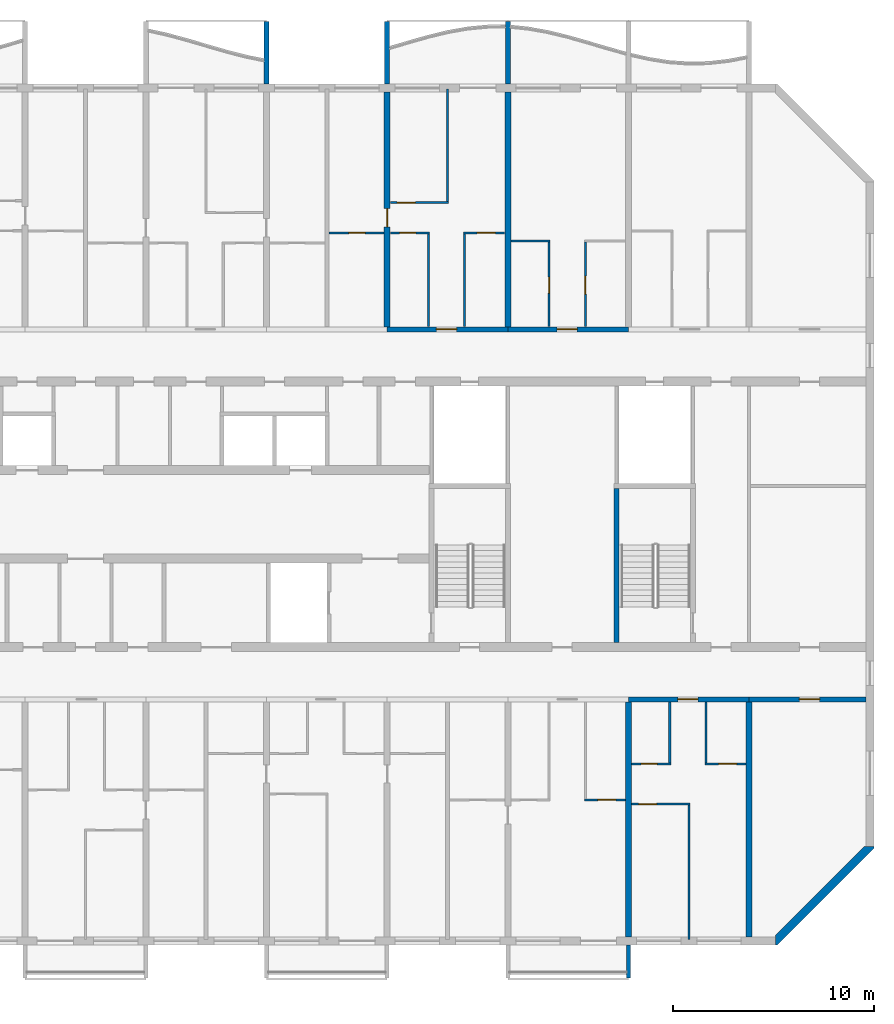
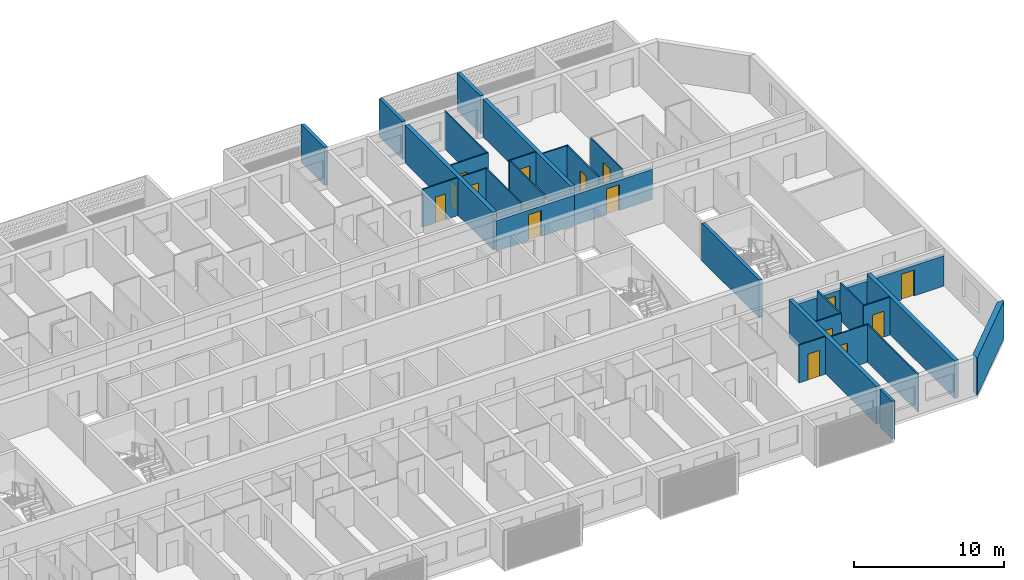
# One storey, part 12 of 33: 31 walls, 15 doors, 15 openings.
"""IFC4 building model written with IfcOpenShell, lengths in metres."""

from ifc_helpers import new_model, si_unit, direction, frame, frame_2d, origin, place, context, subcontext, project, spatial, polyline, rectangle, outline, extrude, source, transform, mapped, material, layer, layer_set, type_object, element, fill, save


model = new_model("IFC4")

# Units and contexts
model_context = context("Model", 3, precision=1e-05, world=origin(), true_north=direction((0.0, 1.0)))
body_context = subcontext(model_context, "Body", "Model", "MODEL_VIEW")
ifc_project = project(units=[si_unit("LENGTHUNIT", "METRE"), si_unit("AREAUNIT", "SQUARE_METRE"), si_unit("VOLUMEUNIT", "CUBIC_METRE"), si_unit("PLANEANGLEUNIT", "RADIAN"), si_unit("MASSUNIT", "GRAM", prefix="KILO")], contexts=[model_context])

# Site, building, storey
site_placement = place(None, origin())
site = spatial("IfcSite", under=ifc_project, at=site_placement, CompositionType="ELEMENT")
building_placement = place(site_placement, origin())
building = spatial("IfcBuilding", under=site, at=building_placement, Name="Poui Terraces", CompositionType="ELEMENT")
storey_placement = place(building_placement, frame((0.0, 0.0, 132.300048828125)))
storey = spatial("IfcBuildingStorey", under=building, at=storey_placement, Name="L36", CompositionType="ELEMENT", Elevation=132.300048828125)

# Wall, opening, door
ifc_material_1 = material(Name="Concrete 65 MPa", Category="concrete")
ifc_layer_1 = layer(ifc_material_1, 0.25)
ifc_layer_set_1 = layer_set([ifc_layer_1], Name="Concrete 65 MPa")
wall_type_1 = type_object("IfcWallType", Name="CORRIDOR WALL 250 65MPa", PredefinedType="SHEAR", material=ifc_layer_set_1)
wall_1_placement = place(storey_placement, frame((78.0, 12.0, 0.0), z_axis=(0.0, 0.0, 1.0), x_axis=(1.0, 0.0, 0.0)))
wall_1 = element("IfcWall", 1, at=wall_1_placement, inside=storey, type_object=wall_type_1, Name="CORRIDOR WALL LINE B BAY 12", PredefinedType="SHEAR", context=body_context, shape_type="SweptSolid", body=[
    extrude(rectangle(XDim=6.0, YDim=0.25, at=frame_2d((3.0, 0.0))), origin(), (0.0, 0.0, 1.0), 2.469970703125),
])
opening_1_placement = place(wall_1_placement, frame((2.449951171875, 0.0, 0.0)))
opening_1 = element("IfcOpeningElement", 2, at=opening_1_placement, cuts=wall_1, Name="Opening FD30S", PredefinedType="OPENING", context=body_context, shape_type="SweptSolid", body=[
    extrude(rectangle(XDim=1.0, YDim=2.10009765625, at=frame_2d((0.5, 1.050048828125))), frame((0.0, 0.135009765625, 0.0), z_axis=(0.0, -1.0, 0.0), x_axis=(1.0, 0.0, 0.0)), (0.0, 0.0, 1.0), 0.27001953125),
])
ifc_material_2 = material(Name="Steel fire door", Category="steel")
door_type_1 = type_object("IfcDoorType", Name="FLAT ENTRANCE DOOR 1000 X 2100", OperationType="NOTDEFINED", PredefinedType="DOOR", material=ifc_material_2)
door_1_placement = place(opening_1_placement, frame((1.0, 0.0, 0.0), z_axis=(0.0, 0.0, 1.0), x_axis=(-1.0, 0.0, 0.0)))
door_1 = element("IfcDoor", 3, at=door_1_placement, inside=storey, type_object=door_type_1, Name="FLAT ENTRANCE DOOR 114", OperationType="SINGLE_SWING_RIGHT", OverallHeight=2.10009765625, OverallWidth=1.0, PredefinedType="DOOR", context=body_context, shape_type="SweptSolid", body=[
    extrude(rectangle(XDim=1.0, YDim=2.10009765625, at=frame_2d((0.5, 1.050048828125))), frame((0.0, 0.02490234375, 0.0), z_axis=(0.0, -1.0, 0.0), x_axis=(1.0, 0.0, 0.0)), (0.0, 0.0, 1.0), 0.050048828125),
])
fill(opening_1, door_1)

wall_2_placement = place(storey_placement, frame((84.0, 12.0, 0.0), z_axis=(0.0, 0.0, 1.0), x_axis=(1.0, 0.0, 0.0)))
wall_2 = element("IfcWall", 4, at=wall_2_placement, inside=storey, type_object=wall_type_1, Name="CORRIDOR WALL LINE B BAY 13", PredefinedType="SHEAR", context=body_context, shape_type="SweptSolid", body=[
    extrude(rectangle(XDim=5.800048828125, YDim=0.25, at=frame_2d((2.89990234375, 0.0))), origin(), (0.0, 0.0, 1.0), 2.469970703125),
])
opening_2_placement = place(wall_2_placement, frame((2.5, 0.0, 0.0)))
opening_2 = element("IfcOpeningElement", 5, at=opening_2_placement, cuts=wall_2, Name="Opening D100", PredefinedType="OPENING", context=body_context, shape_type="SweptSolid", body=[
    extrude(rectangle(XDim=1.0, YDim=2.10009765625, at=frame_2d((0.5, 1.050048828125))), frame((0.0, 0.135009765625, 0.0), z_axis=(0.0, -1.0, 0.0), x_axis=(1.0, 0.0, 0.0)), (0.0, 0.0, 1.0), 0.27001953125),
])
ifc_material_3 = material(Name="Solid core timber door", Category="wood")
door_type_2 = type_object("IfcDoorType", Name="ACCESSIBLE INTERNAL DOOR 1000 X 2100", OperationType="NOTDEFINED", PredefinedType="DOOR", material=ifc_material_3)
door_2_placement = place(opening_2_placement, frame((1.0, 0.0, 0.0), z_axis=(0.0, 0.0, 1.0), x_axis=(-1.0, 0.0, 0.0)))
door_2 = element("IfcDoor", 6, at=door_2_placement, inside=storey, type_object=door_type_2, Name="ACCESSIBLE INTERNAL DOOR 116", OperationType="SINGLE_SWING_RIGHT", OverallHeight=2.10009765625, OverallWidth=1.0, PredefinedType="DOOR", context=body_context, shape_type="SweptSolid", body=[
    extrude(rectangle(XDim=1.0, YDim=2.10009765625, at=frame_2d((0.5, 1.050048828125))), frame((0.0, 0.02490234375, 0.0), z_axis=(0.0, -1.0, 0.0), x_axis=(1.0, 0.0, 0.0)), (0.0, 0.0, 1.0), 0.050048828125),
])
fill(opening_2, door_2)

wall_3_placement = place(storey_placement, frame((66.0, 30.39990234375, 0.0), z_axis=(0.0, 0.0, 1.0), x_axis=(1.0, 0.0, 0.0)))
wall_3 = element("IfcWall", 7, at=wall_3_placement, inside=storey, type_object=wall_type_1, Name="CORRIDOR WALL LINE E BAY 10", PredefinedType="SHEAR", context=body_context, shape_type="SweptSolid", body=[
    extrude(rectangle(XDim=6.0, YDim=0.25, at=frame_2d((3.0, 0.0))), origin(), (0.0, 0.0, 1.0), 2.469970703125),
])
opening_3_placement = place(wall_3_placement, frame((2.449951171875, 0.0, 0.0)))
opening_3 = element("IfcOpeningElement", 8, at=opening_3_placement, cuts=wall_3, Name="Opening FD30S", PredefinedType="OPENING", context=body_context, shape_type="SweptSolid", body=[
    extrude(rectangle(XDim=1.0, YDim=2.10009765625, at=frame_2d((0.5, 1.050048828125))), frame((0.0, 0.135009765625, 0.0), z_axis=(0.0, -1.0, 0.0), x_axis=(1.0, 0.0, 0.0)), (0.0, 0.0, 1.0), 0.27001953125),
])
door_3_placement = place(opening_3_placement, origin())
door_3 = element("IfcDoor", 9, at=door_3_placement, inside=storey, type_object=door_type_1, Name="FLAT ENTRANCE DOOR 065", OperationType="SINGLE_SWING_LEFT", OverallHeight=2.10009765625, OverallWidth=1.0, PredefinedType="DOOR", context=body_context, shape_type="SweptSolid", body=[
    extrude(rectangle(XDim=1.0, YDim=2.10009765625, at=frame_2d((0.5, 1.050048828125))), frame((0.0, 0.02490234375, 0.0), z_axis=(0.0, -1.0, 0.0), x_axis=(1.0, 0.0, 0.0)), (0.0, 0.0, 1.0), 0.050048828125),
])
fill(opening_3, door_3)

wall_4_placement = place(storey_placement, frame((72.0, 30.39990234375, 0.0), z_axis=(0.0, 0.0, 1.0), x_axis=(1.0, 0.0, 0.0)))
wall_4 = element("IfcWall", 10, at=wall_4_placement, inside=storey, type_object=wall_type_1, Name="CORRIDOR WALL LINE E BAY 11", PredefinedType="SHEAR", context=body_context, shape_type="SweptSolid", body=[
    extrude(rectangle(XDim=6.0, YDim=0.25, at=frame_2d((3.0, 0.0))), origin(), (0.0, 0.0, 1.0), 2.469970703125),
])
opening_4_placement = place(wall_4_placement, frame((2.449951171875, 0.0, 0.0)))
opening_4 = element("IfcOpeningElement", 11, at=opening_4_placement, cuts=wall_4, Name="Opening FD30S", PredefinedType="OPENING", context=body_context, shape_type="SweptSolid", body=[
    extrude(rectangle(XDim=1.0, YDim=2.10009765625, at=frame_2d((0.5, 1.050048828125))), frame((0.0, 0.135009765625, 0.0), z_axis=(0.0, -1.0, 0.0), x_axis=(1.0, 0.0, 0.0)), (0.0, 0.0, 1.0), 0.27001953125),
])
door_4_placement = place(opening_4_placement, origin())
door_4 = element("IfcDoor", 12, at=door_4_placement, inside=storey, type_object=door_type_1, Name="FLAT ENTRANCE DOOR 068", OperationType="SINGLE_SWING_LEFT", OverallHeight=2.10009765625, OverallWidth=1.0, PredefinedType="DOOR", context=body_context, shape_type="SweptSolid", body=[
    extrude(rectangle(XDim=1.0, YDim=2.10009765625, at=frame_2d((0.5, 1.050048828125))), frame((0.0, 0.02490234375, 0.0), z_axis=(0.0, -1.0, 0.0), x_axis=(1.0, 0.0, 0.0)), (0.0, 0.0, 1.0), 0.050048828125),
])
fill(opening_4, door_4)

ifc_layer_2 = layer(ifc_material_1, 0.300048828125)
ifc_layer_set_2 = layer_set([ifc_layer_2], Name="Concrete 65 MPa")
wall_type_2 = type_object("IfcWallType", Name="CROSS WALL 300 65MPa", PredefinedType="SHEAR", material=ifc_layer_set_2)
wall_5_placement = place(storey_placement, frame((66.0, 30.52490234375, 0.0), z_axis=(0.0, 0.0, 1.0), x_axis=(0.0, 1.0, 0.0)))
wall_5 = element("IfcWall", 13, at=wall_5_placement, inside=storey, type_object=wall_type_2, Name="CROSS WALL LINE 12 NORTH", PredefinedType="SHEAR", context=body_context, shape_type="SweptSolid", body=[
    extrude(rectangle(XDim=11.675048828125, YDim=0.300048828125, at=frame_2d((5.83740234375, 0.0))), origin(), (0.0, 0.0, 1.0), 3.070068359375),
])
opening_5_placement = place(wall_5_placement, frame((4.97509765625, 0.0, 0.0)))
opening_5 = element("IfcOpeningElement", 14, at=opening_5_placement, cuts=wall_5, Name="Opening D90", PredefinedType="OPENING", context=body_context, shape_type="SweptSolid", body=[
    extrude(rectangle(XDim=0.89990234375, YDim=2.10009765625, at=frame_2d((0.449951171875, 1.050048828125))), frame((0.0, 0.16015625, 0.0), z_axis=(0.0, -1.0, 0.0), x_axis=(1.0, 0.0, 0.0)), (0.0, 0.0, 1.0), 0.320068359375),
])
door_type_3 = type_object("IfcDoorType", Name="INTERNAL DOOR 900 X 2100", OperationType="NOTDEFINED", PredefinedType="DOOR", material=ifc_material_3)
door_5_placement = place(opening_5_placement, origin())
door_5 = element("IfcDoor", 15, at=door_5_placement, inside=storey, type_object=door_type_3, Name="INTERNAL DOOR 062", OperationType="SINGLE_SWING_LEFT", OverallHeight=2.10009765625, OverallWidth=0.89990234375, PredefinedType="DOOR", context=body_context, shape_type="SweptSolid", body=[
    extrude(rectangle(XDim=0.89990234375, YDim=2.10009765625, at=frame_2d((0.449951171875, 1.050048828125))), frame((0.0, 0.02490234375, 0.0), z_axis=(0.0, -1.0, 0.0), x_axis=(1.0, 0.0, 0.0)), (0.0, 0.0, 1.0), 0.050048828125),
])
fill(opening_5, door_5)

# Walls
for number, where, z_axis, x_axis, name in (
    (16, (72.0, 30.52490234375, 0.0), (0.0, 0.0, 1.0), (0.0, 1.0, 0.0), "CROSS WALL LINE 13 NORTH"),
    (17, (78.0, 0.199951171875, 0.0), (0.0, 0.0, 1.0), (0.0, 1.0, 0.0), "CROSS WALL LINE 14 SOUTH"),
    (18, (84.0, 0.199951171875, 0.0), (0.0, 0.0, 1.0), (0.0, 1.0, 0.0), "CROSS WALL LINE 15 SOUTH"),
):
    element("IfcWall", number, at=place(storey_placement, frame(where, z_axis=z_axis, x_axis=x_axis)), inside=storey, type_object=wall_type_2, Name=name, PredefinedType="SHEAR", context=body_context, shape_type="SweptSolid", body=[
        extrude(rectangle(XDim=11.675048828125, YDim=0.300048828125, at=frame_2d((5.83740234375, 0.0))), origin(), (0.0, 0.0, 1.0), 3.070068359375),
    ])

# Wall, opening, door
ifc_material_4 = material(Name="Plasterboard partition")
ifc_layer_3 = layer(ifc_material_4, 0.10009765625)
ifc_layer_set_3 = layer_set([ifc_layer_3], Name="Plasterboard partition")
wall_type_3 = type_object("IfcWallType", Name="FLAT PARTITION 100", PredefinedType="PARTITIONING", material=ifc_layer_set_3)
wall_6_placement = place(storey_placement, frame((78.159912109375, 6.800048828125, 0.0), z_axis=(0.0, 0.0, 1.0), x_axis=(1.0, 0.0, 0.0)))
wall_6 = element("IfcWall", 19, at=wall_6_placement, inside=storey, type_object=wall_type_3, Name="FLAT PARTITION 100", PredefinedType="PARTITIONING", context=body_context, shape_type="SweptSolid", body=[
    extrude(rectangle(XDim=2.89013671875, YDim=0.10009765625, at=frame_2d((1.445068359375, 0.0))), origin(), (0.0, 0.0, 1.0), 3.070068359375),
])
opening_6_placement = place(wall_6_placement, frame((0.340087890625, 0.0, 0.0)))
opening_6 = element("IfcOpeningElement", 20, at=opening_6_placement, cuts=wall_6, Name="Opening D90", PredefinedType="OPENING", context=body_context, shape_type="SweptSolid", body=[
    extrude(rectangle(XDim=0.89990234375, YDim=2.10009765625, at=frame_2d((0.449951171875, 1.050048828125))), frame((0.0, 0.06005859375, 0.0), z_axis=(0.0, -1.0, 0.0), x_axis=(1.0, 0.0, 0.0)), (0.0, 0.0, 1.0), 0.1201171875),
])
door_6_placement = place(opening_6_placement, origin())
door_6 = element("IfcDoor", 21, at=door_6_placement, inside=storey, type_object=door_type_3, Name="INTERNAL DOOR 112", OperationType="SINGLE_SWING_RIGHT", OverallHeight=2.10009765625, OverallWidth=0.89990234375, PredefinedType="DOOR", context=body_context, shape_type="SweptSolid", body=[
    extrude(rectangle(XDim=0.89990234375, YDim=2.10009765625, at=frame_2d((0.449951171875, 1.050048828125))), frame((0.0, 0.02490234375, 0.0), z_axis=(0.0, -1.0, 0.0), x_axis=(1.0, 0.0, 0.0)), (0.0, 0.0, 1.0), 0.050048828125),
])
fill(opening_6, door_6)

wall_7_placement = place(storey_placement, frame((75.800048828125, 7.0, 0.0), z_axis=(0.0, 0.0, 1.0), x_axis=(1.0, 0.0, 0.0)))
wall_7 = element("IfcWall", 22, at=wall_7_placement, inside=storey, type_object=wall_type_3, Name="FLAT PARTITION 100", PredefinedType="PARTITIONING", context=body_context, shape_type="SweptSolid", body=[
    extrude(rectangle(XDim=2.0400390625, YDim=0.10009765625, at=frame_2d((1.02001953125, 0.0))), origin(), (0.0, 0.0, 1.0), 3.070068359375),
])
opening_7_placement = place(wall_7_placement, frame((0.675048828125, 0.0, 0.0)))
opening_7 = element("IfcOpeningElement", 23, at=opening_7_placement, cuts=wall_7, Name="Opening D90", PredefinedType="OPENING", context=body_context, shape_type="SweptSolid", body=[
    extrude(rectangle(XDim=0.89990234375, YDim=2.10009765625, at=frame_2d((0.449951171875, 1.050048828125))), frame((0.0, 0.06005859375, 0.0), z_axis=(0.0, -1.0, 0.0), x_axis=(1.0, 0.0, 0.0)), (0.0, 0.0, 1.0), 0.1201171875),
])
door_7_placement = place(opening_7_placement, origin())
door_7 = element("IfcDoor", 24, at=door_7_placement, inside=storey, type_object=door_type_3, Name="INTERNAL DOOR 111", OperationType="SINGLE_SWING_RIGHT", OverallHeight=2.10009765625, OverallWidth=0.89990234375, PredefinedType="DOOR", context=body_context, shape_type="SweptSolid", body=[
    extrude(rectangle(XDim=0.89990234375, YDim=2.10009765625, at=frame_2d((0.449951171875, 1.050048828125))), frame((0.0, 0.02490234375, 0.0), z_axis=(0.0, -1.0, 0.0), x_axis=(1.0, 0.0, 0.0)), (0.0, 0.0, 1.0), 0.050048828125),
])
fill(opening_7, door_7)

wall_8_placement = place(storey_placement, frame((78.159912109375, 8.800048828125, 0.0), z_axis=(0.0, 0.0, 1.0), x_axis=(1.0, 0.0, 0.0)))
wall_8 = element("IfcWall", 25, at=wall_8_placement, inside=storey, type_object=wall_type_3, Name="FLAT PARTITION 100", PredefinedType="PARTITIONING", context=body_context, shape_type="SweptSolid", body=[
    extrude(rectangle(XDim=1.940185546875, YDim=0.10009765625, at=frame_2d((0.97021484375, 0.0))), origin(), (0.0, 0.0, 1.0), 3.070068359375),
])
opening_8_placement = place(wall_8_placement, frame((0.465087890625, 0.0, 0.0)))
opening_8 = element("IfcOpeningElement", 26, at=opening_8_placement, cuts=wall_8, Name="Opening D80", PredefinedType="OPENING", context=body_context, shape_type="SweptSolid", body=[
    extrude(rectangle(XDim=0.800048828125, YDim=2.10009765625, at=frame_2d((0.39990234375, 1.050048828125))), frame((0.0, 0.06005859375, 0.0), z_axis=(0.0, -1.0, 0.0), x_axis=(1.0, 0.0, 0.0)), (0.0, 0.0, 1.0), 0.1201171875),
])
door_type_4 = type_object("IfcDoorType", Name="BATHROOM, LAUNDRY AND STORE DOOR 800 X 2100", OperationType="NOTDEFINED", PredefinedType="DOOR", material=ifc_material_3)
door_8_placement = place(opening_8_placement, origin())
door_8 = element("IfcDoor", 27, at=door_8_placement, inside=storey, type_object=door_type_4, Name="BATHROOM, LAUNDRY AND STORE DOOR 113", OperationType="SINGLE_SWING_LEFT", OverallHeight=2.10009765625, OverallWidth=0.800048828125, PredefinedType="DOOR", context=body_context, shape_type="SweptSolid", body=[
    extrude(rectangle(XDim=0.800048828125, YDim=2.10009765625, at=frame_2d((0.39990234375, 1.050048828125))), frame((0.0, 0.02490234375, 0.0), z_axis=(0.0, -1.0, 0.0), x_axis=(1.0, 0.0, 0.0)), (0.0, 0.0, 1.0), 0.050048828125),
])
fill(opening_8, door_8)

wall_9_placement = place(storey_placement, frame((81.800048828125, 8.800048828125, 0.0), z_axis=(0.0, 0.0, 1.0), x_axis=(1.0, 0.0, 0.0)))
wall_9 = element("IfcWall", 28, at=wall_9_placement, inside=storey, type_object=wall_type_3, Name="FLAT PARTITION 100", PredefinedType="PARTITIONING", context=body_context, shape_type="SweptSolid", body=[
    extrude(rectangle(XDim=2.0400390625, YDim=0.10009765625, at=frame_2d((1.02001953125, 0.0))), origin(), (0.0, 0.0, 1.0), 3.070068359375),
])
opening_9_placement = place(wall_9_placement, frame((0.675048828125, 0.0, 0.0)))
opening_9 = element("IfcOpeningElement", 29, at=opening_9_placement, cuts=wall_9, Name="Opening D90", PredefinedType="OPENING", context=body_context, shape_type="SweptSolid", body=[
    extrude(rectangle(XDim=0.89990234375, YDim=2.10009765625, at=frame_2d((0.449951171875, 1.050048828125))), frame((0.0, 0.06005859375, 0.0), z_axis=(0.0, -1.0, 0.0), x_axis=(1.0, 0.0, 0.0)), (0.0, 0.0, 1.0), 0.1201171875),
])
door_9_placement = place(opening_9_placement, origin())
door_9 = element("IfcDoor", 30, at=door_9_placement, inside=storey, type_object=door_type_3, Name="INTERNAL DOOR 115", OperationType="SINGLE_SWING_RIGHT", OverallHeight=2.10009765625, OverallWidth=0.89990234375, PredefinedType="DOOR", context=body_context, shape_type="SweptSolid", body=[
    extrude(rectangle(XDim=0.89990234375, YDim=2.10009765625, at=frame_2d((0.449951171875, 1.050048828125))), frame((0.0, 0.02490234375, 0.0), z_axis=(0.0, -1.0, 0.0), x_axis=(1.0, 0.0, 0.0)), (0.0, 0.0, 1.0), 0.050048828125),
])
fill(opening_9, door_9)

# Wall
wall_10_placement = place(storey_placement, frame((72.159912109375, 34.800048828125, 0.0), z_axis=(0.0, 0.0, 1.0), x_axis=(1.0, 0.0, 0.0)))
element("IfcWall", 31, at=wall_10_placement, inside=storey, type_object=wall_type_3, Name="FLAT PARTITION 100", PredefinedType="PARTITIONING", context=body_context, shape_type="SweptSolid", body=[
    extrude(rectangle(XDim=1.940185546875, YDim=0.10009765625, at=frame_2d((0.97021484375, 0.0))), origin(), (0.0, 0.0, 1.0), 3.070068359375),
])

# Wall, opening, door
wall_11_placement = place(storey_placement, frame((63.10009765625, 35.199951171875, 0.0), z_axis=(0.0, 0.0, 1.0), x_axis=(1.0, 0.0, 0.0)))
wall_11 = element("IfcWall", 32, at=wall_11_placement, inside=storey, type_object=wall_type_3, Name="FLAT PARTITION 100", PredefinedType="PARTITIONING", context=body_context, shape_type="SweptSolid", body=[
    extrude(rectangle(XDim=2.739990234375, YDim=0.10009765625, at=frame_2d((1.3701171875, 0.0))), origin(), (0.0, 0.0, 1.0), 3.070068359375),
])
opening_10_placement = place(wall_11_placement, frame((1.0, 0.0, 0.0)))
opening_10 = element("IfcOpeningElement", 33, at=opening_10_placement, cuts=wall_11, Name="Opening D80", PredefinedType="OPENING", context=body_context, shape_type="SweptSolid", body=[
    extrude(rectangle(XDim=0.800048828125, YDim=2.10009765625, at=frame_2d((0.39990234375, 1.050048828125))), frame((0.0, 0.06005859375, 0.0), z_axis=(0.0, -1.0, 0.0), x_axis=(1.0, 0.0, 0.0)), (0.0, 0.0, 1.0), 0.1201171875),
])
door_10_placement = place(opening_10_placement, frame((0.800048828125, 0.0, 0.0), z_axis=(0.0, 0.0, 1.0), x_axis=(-1.0, 0.0, 0.0)))
door_10 = element("IfcDoor", 34, at=door_10_placement, inside=storey, type_object=door_type_4, Name="BATHROOM, LAUNDRY AND STORE DOOR 061", OperationType="SINGLE_SWING_RIGHT", OverallHeight=2.10009765625, OverallWidth=0.800048828125, PredefinedType="DOOR", context=body_context, shape_type="SweptSolid", body=[
    extrude(rectangle(XDim=0.800048828125, YDim=2.10009765625, at=frame_2d((0.39990234375, 1.050048828125))), frame((0.0, 0.02490234375, 0.0), z_axis=(0.0, -1.0, 0.0), x_axis=(1.0, 0.0, 0.0)), (0.0, 0.0, 1.0), 0.050048828125),
])
fill(opening_10, door_10)

wall_12_placement = place(storey_placement, frame((66.159912109375, 35.199951171875, 0.0), z_axis=(0.0, 0.0, 1.0), x_axis=(1.0, 0.0, 0.0)))
wall_12 = element("IfcWall", 35, at=wall_12_placement, inside=storey, type_object=wall_type_3, Name="FLAT PARTITION 100", PredefinedType="PARTITIONING", context=body_context, shape_type="SweptSolid", body=[
    extrude(rectangle(XDim=1.940185546875, YDim=0.10009765625, at=frame_2d((0.97021484375, 0.0))), origin(), (0.0, 0.0, 1.0), 3.070068359375),
])
opening_11_placement = place(wall_12_placement, frame((0.465087890625, 0.0, 0.0)))
opening_11 = element("IfcOpeningElement", 36, at=opening_11_placement, cuts=wall_12, Name="Opening D80", PredefinedType="OPENING", context=body_context, shape_type="SweptSolid", body=[
    extrude(rectangle(XDim=0.800048828125, YDim=2.10009765625, at=frame_2d((0.39990234375, 1.050048828125))), frame((0.0, 0.06005859375, 0.0), z_axis=(0.0, -1.0, 0.0), x_axis=(1.0, 0.0, 0.0)), (0.0, 0.0, 1.0), 0.1201171875),
])
door_11_placement = place(opening_11_placement, frame((0.800048828125, 0.0, 0.0), z_axis=(0.0, 0.0, 1.0), x_axis=(-1.0, 0.0, 0.0)))
door_11 = element("IfcDoor", 37, at=door_11_placement, inside=storey, type_object=door_type_4, Name="BATHROOM, LAUNDRY AND STORE DOOR 064", OperationType="SINGLE_SWING_RIGHT", OverallHeight=2.10009765625, OverallWidth=0.800048828125, PredefinedType="DOOR", context=body_context, shape_type="SweptSolid", body=[
    extrude(rectangle(XDim=0.800048828125, YDim=2.10009765625, at=frame_2d((0.39990234375, 1.050048828125))), frame((0.0, 0.02490234375, 0.0), z_axis=(0.0, -1.0, 0.0), x_axis=(1.0, 0.0, 0.0)), (0.0, 0.0, 1.0), 0.050048828125),
])
fill(opening_11, door_11)

wall_13_placement = place(storey_placement, frame((69.800048828125, 35.199951171875, 0.0), z_axis=(0.0, 0.0, 1.0), x_axis=(1.0, 0.0, 0.0)))
wall_13 = element("IfcWall", 38, at=wall_13_placement, inside=storey, type_object=wall_type_3, Name="FLAT PARTITION 100", PredefinedType="PARTITIONING", context=body_context, shape_type="SweptSolid", body=[
    extrude(rectangle(XDim=2.0400390625, YDim=0.10009765625, at=frame_2d((1.02001953125, 0.0))), origin(), (0.0, 0.0, 1.0), 3.070068359375),
])
opening_12_placement = place(wall_13_placement, frame((0.675048828125, 0.0, 0.0)))
opening_12 = element("IfcOpeningElement", 39, at=opening_12_placement, cuts=wall_13, Name="Opening D90", PredefinedType="OPENING", context=body_context, shape_type="SweptSolid", body=[
    extrude(rectangle(XDim=0.89990234375, YDim=2.10009765625, at=frame_2d((0.449951171875, 1.050048828125))), frame((0.0, 0.06005859375, 0.0), z_axis=(0.0, -1.0, 0.0), x_axis=(1.0, 0.0, 0.0)), (0.0, 0.0, 1.0), 0.1201171875),
])
door_12_placement = place(opening_12_placement, frame((0.89990234375, 0.0, 0.0), z_axis=(0.0, 0.0, 1.0), x_axis=(-1.0, 0.0, 0.0)))
door_12 = element("IfcDoor", 40, at=door_12_placement, inside=storey, type_object=door_type_3, Name="INTERNAL DOOR 066", OperationType="SINGLE_SWING_LEFT", OverallHeight=2.10009765625, OverallWidth=0.89990234375, PredefinedType="DOOR", context=body_context, shape_type="SweptSolid", body=[
    extrude(rectangle(XDim=0.89990234375, YDim=2.10009765625, at=frame_2d((0.449951171875, 1.050048828125))), frame((0.0, 0.02490234375, 0.0), z_axis=(0.0, -1.0, 0.0), x_axis=(1.0, 0.0, 0.0)), (0.0, 0.0, 1.0), 0.050048828125),
])
fill(opening_12, door_12)

wall_14_placement = place(storey_placement, frame((66.159912109375, 36.699951171875, 0.0), z_axis=(0.0, 0.0, 1.0), x_axis=(1.0, 0.0, 0.0)))
wall_14 = element("IfcWall", 41, at=wall_14_placement, inside=storey, type_object=wall_type_3, Name="FLAT PARTITION 100", PredefinedType="PARTITIONING", context=body_context, shape_type="SweptSolid", body=[
    extrude(rectangle(XDim=2.89013671875, YDim=0.10009765625, at=frame_2d((1.445068359375, 0.0))), origin(), (0.0, 0.0, 1.0), 3.070068359375),
])
opening_13_placement = place(wall_14_placement, frame((0.340087890625, 0.0, 0.0)))
opening_13 = element("IfcOpeningElement", 42, at=opening_13_placement, cuts=wall_14, Name="Opening D90", PredefinedType="OPENING", context=body_context, shape_type="SweptSolid", body=[
    extrude(rectangle(XDim=0.89990234375, YDim=2.10009765625, at=frame_2d((0.449951171875, 1.050048828125))), frame((0.0, 0.06005859375, 0.0), z_axis=(0.0, -1.0, 0.0), x_axis=(1.0, 0.0, 0.0)), (0.0, 0.0, 1.0), 0.1201171875),
])
door_13_placement = place(opening_13_placement, frame((0.89990234375, 0.0, 0.0), z_axis=(0.0, 0.0, 1.0), x_axis=(-1.0, 0.0, 0.0)))
door_13 = element("IfcDoor", 43, at=door_13_placement, inside=storey, type_object=door_type_3, Name="INTERNAL DOOR 063", OperationType="SINGLE_SWING_LEFT", OverallHeight=2.10009765625, OverallWidth=0.89990234375, PredefinedType="DOOR", context=body_context, shape_type="SweptSolid", body=[
    extrude(rectangle(XDim=0.89990234375, YDim=2.10009765625, at=frame_2d((0.449951171875, 1.050048828125))), frame((0.0, 0.02490234375, 0.0), z_axis=(0.0, -1.0, 0.0), x_axis=(1.0, 0.0, 0.0)), (0.0, 0.0, 1.0), 0.050048828125),
])
fill(opening_13, door_13)

# Walls
wall_15_placement = place(storey_placement, frame((68.050048828125, 30.534912109375, 0.0), z_axis=(0.0, 0.0, 1.0), x_axis=(0.0, 1.0, 0.0)))
element("IfcWall", 44, at=wall_15_placement, inside=storey, type_object=wall_type_3, Name="FLAT PARTITION 100", PredefinedType="PARTITIONING", context=body_context, shape_type="SweptSolid", body=[
    extrude(rectangle(XDim=4.614990234375, YDim=0.10009765625, at=frame_2d((2.3076171875, 0.0))), origin(), (0.0, 0.0, 1.0), 3.070068359375),
])
wall_16_placement = place(storey_placement, frame((69.0, 36.75, 0.0), z_axis=(0.0, 0.0, 1.0), x_axis=(0.0, 1.0, 0.0)))
element("IfcWall", 45, at=wall_16_placement, inside=storey, type_object=wall_type_3, Name="FLAT PARTITION 100", PredefinedType="PARTITIONING", context=body_context, shape_type="SweptSolid", body=[
    extrude(rectangle(XDim=5.590087890625, YDim=0.10009765625, at=frame_2d((2.794921875, 0.0))), origin(), (0.0, 0.0, 1.0), 3.070068359375),
])
wall_17_placement = place(storey_placement, frame((69.85009765625, 30.534912109375, 0.0), z_axis=(0.0, 0.0, 1.0), x_axis=(0.0, 1.0, 0.0)))
element("IfcWall", 46, at=wall_17_placement, inside=storey, type_object=wall_type_3, Name="FLAT PARTITION 100", PredefinedType="PARTITIONING", context=body_context, shape_type="SweptSolid", body=[
    extrude(rectangle(XDim=4.614990234375, YDim=0.10009765625, at=frame_2d((2.3076171875, 0.0))), origin(), (0.0, 0.0, 1.0), 3.070068359375),
])

# Wall, opening, door
wall_18_placement = place(storey_placement, frame((74.050048828125, 30.534912109375, 0.0), z_axis=(0.0, 0.0, 1.0), x_axis=(0.0, 1.0, 0.0)))
wall_18 = element("IfcWall", 47, at=wall_18_placement, inside=storey, type_object=wall_type_3, Name="FLAT PARTITION 100", PredefinedType="PARTITIONING", context=body_context, shape_type="SweptSolid", body=[
    extrude(rectangle(XDim=4.215087890625, YDim=0.10009765625, at=frame_2d((2.107421875, 0.0))), origin(), (0.0, 0.0, 1.0), 3.070068359375),
])
opening_14_placement = place(wall_18_placement, frame((1.6650390625, 0.0, 0.0)))
opening_14 = element("IfcOpeningElement", 48, at=opening_14_placement, cuts=wall_18, Name="Opening D80", PredefinedType="OPENING", context=body_context, shape_type="SweptSolid", body=[
    extrude(rectangle(XDim=0.800048828125, YDim=2.10009765625, at=frame_2d((0.39990234375, 1.050048828125))), frame((0.0, 0.06005859375, 0.0), z_axis=(0.0, -1.0, 0.0), x_axis=(1.0, 0.0, 0.0)), (0.0, 0.0, 1.0), 0.1201171875),
])
door_14_placement = place(opening_14_placement, origin())
door_14 = element("IfcDoor", 49, at=door_14_placement, inside=storey, type_object=door_type_4, Name="BATHROOM, LAUNDRY AND STORE DOOR 067", OperationType="SINGLE_SWING_LEFT", OverallHeight=2.10009765625, OverallWidth=0.800048828125, PredefinedType="DOOR", context=body_context, shape_type="SweptSolid", body=[
    extrude(rectangle(XDim=0.800048828125, YDim=2.10009765625, at=frame_2d((0.39990234375, 1.050048828125))), frame((0.0, 0.02490234375, 0.0), z_axis=(0.0, -1.0, 0.0), x_axis=(1.0, 0.0, 0.0)), (0.0, 0.0, 1.0), 0.050048828125),
])
fill(opening_14, door_14)

wall_19_placement = place(storey_placement, frame((75.85009765625, 30.534912109375, 0.0), z_axis=(0.0, 0.0, 1.0), x_axis=(0.0, 1.0, 0.0)))
wall_19 = element("IfcWall", 50, at=wall_19_placement, inside=storey, type_object=wall_type_3, Name="FLAT PARTITION 100", PredefinedType="PARTITIONING", context=body_context, shape_type="SweptSolid", body=[
    extrude(rectangle(XDim=4.215087890625, YDim=0.10009765625, at=frame_2d((2.107421875, 0.0))), origin(), (0.0, 0.0, 1.0), 3.070068359375),
])
opening_15_placement = place(wall_19_placement, frame((1.614990234375, 0.0, 0.0)))
opening_15 = element("IfcOpeningElement", 51, at=opening_15_placement, cuts=wall_19, Name="Opening D90", PredefinedType="OPENING", context=body_context, shape_type="SweptSolid", body=[
    extrude(rectangle(XDim=0.89990234375, YDim=2.10009765625, at=frame_2d((0.449951171875, 1.050048828125))), frame((0.0, 0.06005859375, 0.0), z_axis=(0.0, -1.0, 0.0), x_axis=(1.0, 0.0, 0.0)), (0.0, 0.0, 1.0), 0.1201171875),
])
door_15_placement = place(opening_15_placement, frame((0.89990234375, 0.0, 0.0), z_axis=(0.0, 0.0, 1.0), x_axis=(-1.0, 0.0, 0.0)))
door_15 = element("IfcDoor", 52, at=door_15_placement, inside=storey, type_object=door_type_3, Name="INTERNAL DOOR 069", OperationType="SINGLE_SWING_LEFT", OverallHeight=2.10009765625, OverallWidth=0.89990234375, PredefinedType="DOOR", context=body_context, shape_type="SweptSolid", body=[
    extrude(rectangle(XDim=0.89990234375, YDim=2.10009765625, at=frame_2d((0.449951171875, 1.050048828125))), frame((0.0, 0.02490234375, 0.0), z_axis=(0.0, -1.0, 0.0), x_axis=(1.0, 0.0, 0.0)), (0.0, 0.0, 1.0), 0.050048828125),
])
fill(opening_15, door_15)

# Walls
wall_20_placement = place(storey_placement, frame((80.050048828125, 8.85009765625, 0.0), z_axis=(0.0, 0.0, 1.0), x_axis=(0.0, 1.0, 0.0)))
element("IfcWall", 53, at=wall_20_placement, inside=storey, type_object=wall_type_3, Name="FLAT PARTITION 100", PredefinedType="PARTITIONING", context=body_context, shape_type="SweptSolid", body=[
    extrude(rectangle(XDim=3.014892578125, YDim=0.10009765625, at=frame_2d((1.50732421875, 0.0))), origin(), (0.0, 0.0, 1.0), 3.070068359375),
])
wall_21_placement = place(storey_placement, frame((81.0, 0.06005859375, 0.0), z_axis=(0.0, 0.0, 1.0), x_axis=(0.0, 1.0, 0.0)))
element("IfcWall", 54, at=wall_21_placement, inside=storey, type_object=wall_type_3, Name="FLAT PARTITION 100", PredefinedType="PARTITIONING", context=body_context, shape_type="SweptSolid", body=[
    extrude(rectangle(XDim=6.68994140625, YDim=0.10009765625, at=frame_2d((3.344970703125, 0.0))), origin(), (0.0, 0.0, 1.0), 3.070068359375),
])
wall_22_placement = place(storey_placement, frame((81.85009765625, 8.85009765625, 0.0), z_axis=(0.0, 0.0, 1.0), x_axis=(0.0, 1.0, 0.0)))
element("IfcWall", 55, at=wall_22_placement, inside=storey, type_object=wall_type_3, Name="FLAT PARTITION 100", PredefinedType="PARTITIONING", context=body_context, shape_type="SweptSolid", body=[
    extrude(rectangle(XDim=3.014892578125, YDim=0.10009765625, at=frame_2d((1.50732421875, 0.0))), origin(), (0.0, 0.0, 1.0), 3.070068359375),
])
ifc_layer_4 = layer(ifc_material_1, 0.25)
ifc_layer_set_4 = layer_set([ifc_layer_4], Name="Concrete 65 MPa")
wall_type_4 = type_object("IfcWallType", Name="STAIR CORE WALL 250 65 MPA", PredefinedType="SOLIDWALL", material=ifc_layer_set_4)
wall_23_placement = place(storey_placement, frame((77.39990234375, 14.824951171875, 0.0), z_axis=(0.0, 0.0, 1.0), x_axis=(0.0, 1.0, 0.0)))
element("IfcWall", 56, at=wall_23_placement, inside=storey, type_object=wall_type_4, Name="STAIR CORE WALL", PredefinedType="SOLIDWALL", context=body_context, shape_type="SweptSolid", body=[
    extrude(rectangle(XDim=7.650146484375, YDim=0.25, at=frame_2d((3.8251953125, 0.0))), origin(), (0.0, 0.0, 1.0), 3.070068359375),
])
ifc_material_5 = material(Name="Precast concrete 40 MPa", Category="concrete")
ifc_layer_5 = layer(ifc_material_5, 0.39990234375)
ifc_layer_set_5 = layer_set([ifc_layer_5], Name="Precast concrete 40 MPa")
wall_type_5 = type_object("IfcWallType", Name="TERRACOTTA CLAD CHAMFER WALL 400", PredefinedType="STANDARD", material=ifc_layer_set_5)
wall_24_placement = place(storey_placement, origin())
element("IfcWall", 57, at=wall_24_placement, inside=storey, type_object=wall_type_5, Name="CHAMFER WALL CH01", PredefinedType="STANDARD", context=body_context, shape_type="SweptSolid", body=[
    extrude(outline(polyline([(85.317138671875, -0.199951171875), (85.39990234375, -0.199951171875), (90.199951171875, 4.60009765625), (90.199951171875, 4.682861328125), (89.71728515625, 4.682861328125), (85.317138671875, 0.28271484375), (85.317138671875, -0.199951171875)])), origin(), (0.0, 0.0, 1.0), 3.070068359375),
])
ifc_layer_6 = layer(ifc_material_5, 0.199951171875)
ifc_layer_set_6 = layer_set([ifc_layer_6], Name="Precast concrete 40 MPa")
wall_type_6 = type_object("IfcWallType", Name="REAR FIN 200", PredefinedType="STANDARD", material=ifc_layer_set_6)
shared_shape_1 = source(origin(), body_context, "Body", "SweptSolid", [
    extrude(outline(polyline([(0.0, 0.0), (0.2001953125, 0.0), (0.2001953125, 1.650146484375), (0.0, 1.650146484375), (0.0, 0.0)])), origin(), (0.0, 0.0, 1.0), 3.099853515625),
])
wall_25_placement = place(storey_placement, frame((77.89990234375, -1.85009765625, 0.0)))
element("IfcWall", 58, at=wall_25_placement, inside=storey, type_object=wall_type_6, Name="REAR FIN", PredefinedType="STANDARD", context=body_context, shape_type="MappedRepresentation", body=[
    mapped(shared_shape_1, transform((0.0, 0.0, 0.0))),
])
ifc_layer_7 = layer(ifc_material_5, 0.25)
ifc_layer_set_7 = layer_set([ifc_layer_7], Name="Precast concrete 40 MPa")
wall_type_7 = type_object("IfcWallType", Name="BALCONY FIN 250", PredefinedType="STANDARD", material=ifc_layer_set_7)
shared_shape_2 = source(origin(), body_context, "Body", "SweptSolid", [
    extrude(outline(polyline([(0.0, 0.0), (0.25, 0.0), (0.25, 3.099853515625), (0.0, 3.099853515625), (0.0, 0.0)])), origin(), (0.0, 0.0, 1.0), 3.099853515625),
])
for number, where, name in (
    (59, (59.875, 42.60009765625, 0.0), "BALCONY FIN"),
    (60, (65.875, 42.60009765625, 0.0), "BALCONY FIN"),
    (61, (71.875, 42.60009765625, 0.0), "BALCONY FIN"),
):
    element("IfcWall", number, at=place(storey_placement, frame(where)), inside=storey, type_object=wall_type_7, Name=name, PredefinedType="STANDARD", context=body_context, shape_type="MappedRepresentation", body=[
        mapped(shared_shape_2, transform((0.0, 0.0, 0.0))),
    ])

save(model, "model.ifc")
